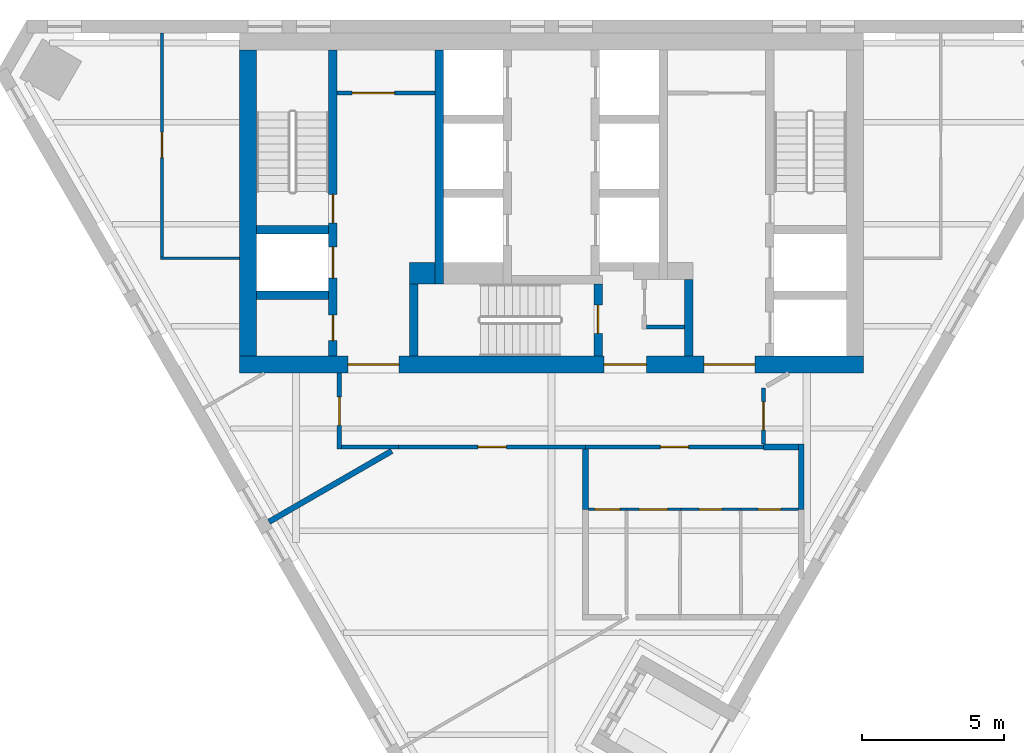
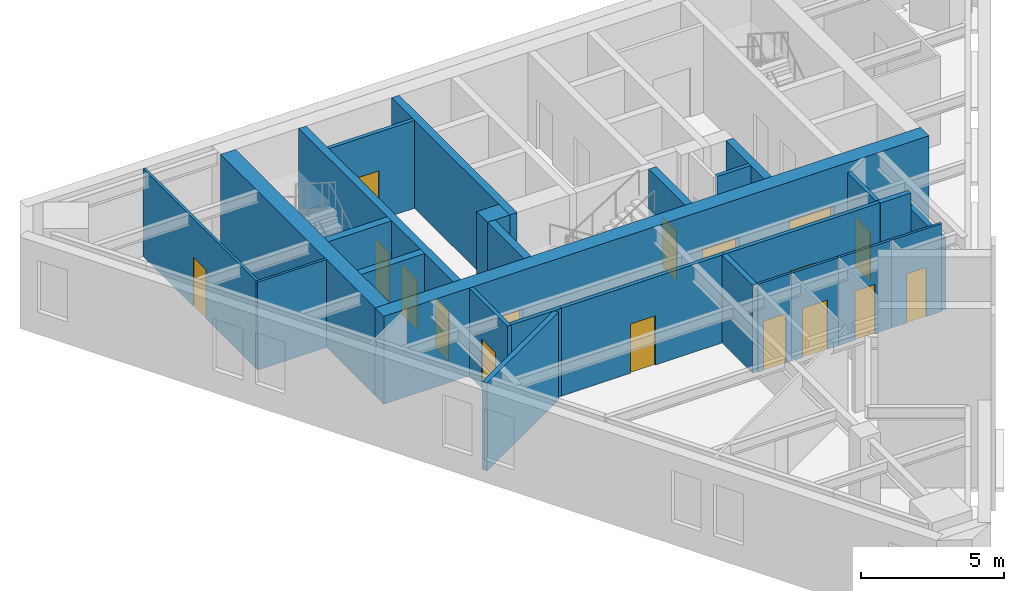
# One storey, part 3 of 6: 27 walls, 17 doors, 17 openings.
"""IFC4 building model written with IfcOpenShell, lengths in metres."""

from ifc_helpers import new_model, si_unit, direction, frame, frame_2d, origin, place, context, subcontext, project, spatial, rectangle, extrude, material, layer, layer_set, type_object, element, fill, save


model = new_model("IFC4")

# Units and contexts
model_context = context("Model", 3, precision=1e-05, world=origin(), true_north=direction((0.0, 1.0)))
body_context = subcontext(model_context, "Body", "Model", "MODEL_VIEW")
ifc_project = project(units=[si_unit("LENGTHUNIT", "METRE"), si_unit("AREAUNIT", "SQUARE_METRE"), si_unit("VOLUMEUNIT", "CUBIC_METRE"), si_unit("PLANEANGLEUNIT", "RADIAN"), si_unit("MASSUNIT", "GRAM", prefix="KILO")], contexts=[model_context])

# Site, building, storey
site_placement = place(None, origin())
site = spatial("IfcSite", under=ifc_project, at=site_placement, CompositionType="ELEMENT")
building_placement = place(site_placement, origin())
building = spatial("IfcBuilding", under=site, at=building_placement, Name="Aloe Facet Convention Tower", CompositionType="ELEMENT")
storey_placement = place(building_placement, frame((0.0, 0.0, 273.800048828125)))
storey = spatial("IfcBuildingStorey", under=building, at=storey_placement, Name="L67", CompositionType="ELEMENT", Elevation=273.800048828125)

# Wall, opening, door
ifc_material_1 = material(Name="Concrete blockwork partition", Category="masonry")
ifc_layer_1 = layer(ifc_material_1, 0.14990234375)
ifc_layer_set_1 = layer_set([ifc_layer_1], Name="CR-W-PART150")
wall_type_1 = type_object("IfcWallType", Name="CR-W-PART150", PredefinedType="PARTITIONING", material=ifc_layer_set_1)
wall_1_placement = place(storey_placement, frame((72.449951171875, 132.425048828125, 0.0), z_axis=(0.0, 0.0, 1.0), x_axis=(1.0, 0.0, 0.0)))
wall_1 = element("IfcWall", 1, at=wall_1_placement, inside=storey, type_object=wall_type_1, Name="Core partition L67-007", PredefinedType="PARTITIONING", context=body_context, shape_type="SweptSolid", body=[
    extrude(rectangle(XDim=3.449951171875, YDim=0.14990234375, at=frame_2d((1.72509765625, 0.0))), origin(), (0.0, 0.0, 1.0), 3.75),
])
opening_1_placement = place(wall_1_placement, frame((0.52490234375, 0.0, 0.0)))
opening_1 = element("IfcOpeningElement", 2, at=opening_1_placement, cuts=wall_1, Name="Opening L67-CD14", PredefinedType="OPENING", context=body_context, shape_type="SweptSolid", body=[
    extrude(rectangle(XDim=1.5, YDim=2.10009765625, at=frame_2d((0.75, 1.050048828125))), frame((0.0, 0.0849609375, 0.0), z_axis=(0.0, -1.0, 0.0), x_axis=(1.0, 0.0, 0.0)), (0.0, 0.0, 1.0), 0.169921875),
])
ifc_material_2 = material(Name="Steel fire-resisting door set FD60", Category="steel")
door_type_1 = type_object("IfcDoorType", Name="CR-D-REFUGE-1500-FD60-DD", OperationType="DOUBLE_DOOR_DOUBLE_SWING", PredefinedType="DOOR", material=ifc_material_2)
door_1_placement = place(opening_1_placement, origin())
door_1 = element("IfcDoor", 3, at=door_1_placement, inside=storey, type_object=door_type_1, Name="Core door L67-CD14", OperationType="DOUBLE_DOOR_DOUBLE_SWING", OverallHeight=2.10009765625, OverallWidth=1.5, PredefinedType="DOOR", context=body_context, shape_type="SweptSolid", body=[
    extrude(rectangle(XDim=1.5, YDim=2.10009765625, at=frame_2d((0.75, 1.050048828125))), frame((0.0, 0.02490234375, 0.0), z_axis=(0.0, -1.0, 0.0), x_axis=(1.0, 0.0, 0.0)), (0.0, 0.0, 1.0), 0.050048828125),
])
fill(opening_1, door_1)

# Walls
wall_2_placement = place(storey_placement, frame((83.35009765625, 124.175048828125, 0.0), z_axis=(0.0, 0.0, 1.0), x_axis=(1.0, 0.0, 0.0)))
element("IfcWall", 4, at=wall_2_placement, inside=storey, type_object=wall_type_1, Name="Core partition L67-023", PredefinedType="PARTITIONING", context=body_context, shape_type="SweptSolid", body=[
    extrude(rectangle(XDim=1.349853515625, YDim=0.14990234375, at=frame_2d((0.6748046875, 0.0))), origin(), (0.0, 0.0, 1.0), 3.75),
])
ifc_material_3 = material(Name="Concrete C50/60", Category="concrete")
ifc_layer_2 = layer(ifc_material_3, 0.300048828125)
ifc_layer_set_2 = layer_set([ifc_layer_2], Name="CR-W-RC300-C5060")
wall_type_2 = type_object("IfcWallType", Name="CR-W-RC300-C5060", PredefinedType="SOLIDWALL", material=ifc_layer_set_2)
for number, where, z_axis, x_axis, name in (
    (5, (69.60009765625, 127.60009765625, 0.0), (0.0, 0.0, 1.0), (1.0, 0.0, 0.0), "Core wall L67-004"),
    (6, (69.60009765625, 125.300048828125, 0.0), (0.0, 0.0, 1.0), (1.0, 0.0, 0.0), "Core wall L67-005"),
):
    element("IfcWall", number, at=place(storey_placement, frame(where, z_axis=z_axis, x_axis=x_axis)), inside=storey, type_object=wall_type_2, Name=name, PredefinedType="SOLIDWALL", context=body_context, shape_type="SweptSolid", body=[
        extrude(rectangle(XDim=2.5498046875, YDim=0.300048828125, at=frame_2d((1.27490234375, 0.0))), origin(), (0.0, 0.0, 1.0), 3.75),
    ])

# Wall, openings, doors
wall_3_placement = place(storey_placement, frame((72.300048828125, 133.949951171875, 0.0), z_axis=(0.0, 0.0, 1.0), x_axis=(0.0, -1.0, 0.0)))
wall_3 = element("IfcWall", 7, at=wall_3_placement, inside=storey, type_object=wall_type_2, Name="Core wall L67-006", PredefinedType="SOLIDWALL", context=body_context, shape_type="SweptSolid", body=[
    extrude(rectangle(XDim=10.800048828125, YDim=0.300048828125, at=frame_2d((5.39990234375, 0.0))), origin(), (0.0, 0.0, 1.0), 3.75),
])
opening_2_placement = place(wall_3_placement, frame((6.949951171875, 0.0, 0.0)))
opening_2 = element("IfcOpeningElement", 8, at=opening_2_placement, cuts=wall_3, Name="Opening LD-FF1-L67", PredefinedType="OPENING", context=body_context, shape_type="SweptSolid", body=[
    extrude(rectangle(XDim=1.10009765625, YDim=2.10009765625, at=frame_2d((0.550048828125, 1.050048828125))), frame((0.0, 0.16015625, 0.0), z_axis=(0.0, -1.0, 0.0), x_axis=(1.0, 0.0, 0.0)), (0.0, 0.0, 1.0), 0.320068359375),
])
opening_3_placement = place(wall_3_placement, frame((9.35009765625, 0.0, 0.0)))
opening_3 = element("IfcOpeningElement", 9, at=opening_3_placement, cuts=wall_3, Name="Opening L67-CD15", PredefinedType="OPENING", context=body_context, shape_type="SweptSolid", body=[
    extrude(rectangle(XDim=0.89990234375, YDim=2.10009765625, at=frame_2d((0.449951171875, 1.050048828125))), frame((0.0, 0.16015625, 0.0), z_axis=(0.0, -1.0, 0.0), x_axis=(1.0, 0.0, 0.0)), (0.0, 0.0, 1.0), 0.320068359375),
])
opening_4_placement = place(wall_3_placement, frame((5.10009765625, 0.0, 0.0)))
opening_4 = element("IfcOpeningElement", 10, at=opening_4_placement, cuts=wall_3, Name="Opening L67-CD16", PredefinedType="OPENING", context=body_context, shape_type="SweptSolid", body=[
    extrude(rectangle(XDim=1.0, YDim=2.10009765625, at=frame_2d((0.5, 1.050048828125))), frame((0.0, 0.16015625, 0.0), z_axis=(0.0, -1.0, 0.0), x_axis=(1.0, 0.0, 0.0)), (0.0, 0.0, 1.0), 0.320068359375),
])
ifc_material_4 = material(Name="Steel fire-resisting door set FD60", Category="steel")
door_type_2 = type_object("IfcDoorType", Name="CR-D-ROOM-900-FD60-SLEFT", OperationType="SINGLE_SWING_LEFT", PredefinedType="DOOR", material=ifc_material_4)
door_2_placement = place(opening_3_placement, origin())
door_2 = element("IfcDoor", 11, at=door_2_placement, inside=storey, type_object=door_type_2, Name="Core door L67-CD15", OperationType="SINGLE_SWING_LEFT", OverallHeight=2.10009765625, OverallWidth=0.89990234375, PredefinedType="DOOR", context=body_context, shape_type="SweptSolid", body=[
    extrude(rectangle(XDim=0.89990234375, YDim=2.10009765625, at=frame_2d((0.449951171875, 1.050048828125))), frame((0.0, 0.02490234375, 0.0), z_axis=(0.0, -1.0, 0.0), x_axis=(1.0, 0.0, 0.0)), (0.0, 0.0, 1.0), 0.050048828125),
])
fill(opening_3, door_2)
ifc_material_5 = material(Name="Steel fire-resisting door set FD120", Category="steel")
door_type_3 = type_object("IfcDoorType", Name="CR-D-STAIR-1000-FD120-SRIGHT", OperationType="SINGLE_SWING_RIGHT", PredefinedType="DOOR", material=ifc_material_5)
door_3_placement = place(opening_4_placement, origin())
door_3 = element("IfcDoor", 12, at=door_3_placement, inside=storey, type_object=door_type_3, Name="Core door L67-CD16", OperationType="SINGLE_SWING_RIGHT", OverallHeight=2.10009765625, OverallWidth=1.0, PredefinedType="DOOR", context=body_context, shape_type="SweptSolid", body=[
    extrude(rectangle(XDim=1.0, YDim=2.10009765625, at=frame_2d((0.5, 1.050048828125))), frame((0.0, 0.02490234375, 0.0), z_axis=(0.0, -1.0, 0.0), x_axis=(1.0, 0.0, 0.0)), (0.0, 0.0, 1.0), 0.050048828125),
])
fill(opening_4, door_3)
ifc_material_6 = material(Name="Stainless steel sliding landing door", Category="steel")
door_type_4 = type_object("IfcDoorType", Name="CR-LD-1100-FD120-_LEFT", OperationType="SLIDING_TO_LEFT", PredefinedType="DOOR", material=ifc_material_6)
door_4_placement = place(opening_2_placement, origin())
door_4 = element("IfcDoor", 13, at=door_4_placement, inside=storey, type_object=door_type_4, Name="Landing door FF1 L67", OperationType="SLIDING_TO_LEFT", OverallHeight=2.10009765625, OverallWidth=1.10009765625, PredefinedType="DOOR", context=body_context, shape_type="SweptSolid", body=[
    extrude(rectangle(XDim=1.10009765625, YDim=2.10009765625, at=frame_2d((0.550048828125, 1.050048828125))), frame((0.0, 0.02490234375, 0.0), z_axis=(0.0, -1.0, 0.0), x_axis=(1.0, 0.0, 0.0)), (0.0, 0.0, 1.0), 0.050048828125),
])
fill(opening_2, door_4)

# Walls
wall_4_placement = place(storey_placement, frame((75.14990234375, 125.699951171875, 0.0), z_axis=(0.0, 0.0, 1.0), x_axis=(0.0, -1.0, 0.0)))
element("IfcWall", 14, at=wall_4_placement, inside=storey, type_object=wall_type_2, Name="Core wall L67-009", PredefinedType="SOLIDWALL", context=body_context, shape_type="SweptSolid", body=[
    extrude(rectangle(XDim=2.550048828125, YDim=0.300048828125, at=frame_2d((1.27490234375, 0.0))), origin(), (0.0, 0.0, 1.0), 3.75),
])
wall_5_placement = place(storey_placement, frame((76.050048828125, 133.949951171875, 0.0), z_axis=(0.0, 0.0, 1.0), x_axis=(0.0, -1.0, 0.0)))
element("IfcWall", 15, at=wall_5_placement, inside=storey, type_object=wall_type_2, Name="Core wall L67-010", PredefinedType="SOLIDWALL", context=body_context, shape_type="SweptSolid", body=[
    extrude(rectangle(XDim=8.25, YDim=0.300048828125, at=frame_2d((4.125, 0.0))), origin(), (0.0, 0.0, 1.0), 3.75),
])

# Wall, opening, door
wall_6_placement = place(storey_placement, frame((81.64990234375, 125.699951171875, 0.0), z_axis=(0.0, 0.0, 1.0), x_axis=(0.0, -1.0, 0.0)))
wall_6 = element("IfcWall", 16, at=wall_6_placement, inside=storey, type_object=wall_type_2, Name="Core wall L67-017", PredefinedType="SOLIDWALL", context=body_context, shape_type="SweptSolid", body=[
    extrude(rectangle(XDim=2.550048828125, YDim=0.300048828125, at=frame_2d((1.27490234375, 0.0))), origin(), (0.0, 0.0, 1.0), 3.75),
])
opening_5_placement = place(wall_6_placement, frame((0.75, 0.0, 0.0)))
opening_5 = element("IfcOpeningElement", 17, at=opening_5_placement, cuts=wall_6, Name="Opening L67-CD18", PredefinedType="OPENING", context=body_context, shape_type="SweptSolid", body=[
    extrude(rectangle(XDim=1.0, YDim=2.10009765625, at=frame_2d((0.5, 1.050048828125))), frame((0.0, 0.16015625, 0.0), z_axis=(0.0, -1.0, 0.0), x_axis=(1.0, 0.0, 0.0)), (0.0, 0.0, 1.0), 0.320068359375),
])
ifc_material_7 = material(Name="Steel fire-resisting door set FD120", Category="steel")
door_type_5 = type_object("IfcDoorType", Name="CR-D-STAIR-1000-FD120-SLEFT", OperationType="SINGLE_SWING_LEFT", PredefinedType="DOOR", material=ifc_material_7)
door_5_placement = place(opening_5_placement, origin())
door_5 = element("IfcDoor", 18, at=door_5_placement, inside=storey, type_object=door_type_5, Name="Core door L67-CD18", OperationType="SINGLE_SWING_LEFT", OverallHeight=2.10009765625, OverallWidth=1.0, PredefinedType="DOOR", context=body_context, shape_type="SweptSolid", body=[
    extrude(rectangle(XDim=1.0, YDim=2.10009765625, at=frame_2d((0.5, 1.050048828125))), frame((0.0, 0.02490234375, 0.0), z_axis=(0.0, -1.0, 0.0), x_axis=(1.0, 0.0, 0.0)), (0.0, 0.0, 1.0), 0.050048828125),
])
fill(opening_5, door_5)

# Walls
wall_7_placement = place(storey_placement, frame((84.85009765625, 125.85009765625, 0.0), z_axis=(0.0, 0.0, 1.0), x_axis=(0.0, -1.0, 0.0)))
element("IfcWall", 19, at=wall_7_placement, inside=storey, type_object=wall_type_2, Name="Core wall L67-027", PredefinedType="SOLIDWALL", context=body_context, shape_type="SweptSolid", body=[
    extrude(rectangle(XDim=2.7001953125, YDim=0.300048828125, at=frame_2d((1.35009765625, 0.0))), origin(), (0.0, 0.0, 1.0), 3.75),
])
ifc_material_8 = material(Name="Concrete C50/60", Category="concrete")
ifc_layer_3 = layer(ifc_material_8, 0.60009765625)
ifc_layer_set_3 = layer_set([ifc_layer_3], Name="CR-W-RC600-C5060")
wall_type_3 = type_object("IfcWallType", Name="CR-W-RC600-C5060", PredefinedType="SOLIDWALL", material=ifc_layer_set_3)
wall_8_placement = place(storey_placement, frame((69.300048828125, 133.949951171875, 0.0), z_axis=(0.0, 0.0, 1.0), x_axis=(0.0, -1.0, 0.0)))
element("IfcWall", 20, at=wall_8_placement, inside=storey, type_object=wall_type_3, Name="Core wall L67-002", PredefinedType="SOLIDWALL", context=body_context, shape_type="SweptSolid", body=[
    extrude(rectangle(XDim=10.800048828125, YDim=0.60009765625, at=frame_2d((5.39990234375, 0.0))), origin(), (0.0, 0.0, 1.0), 3.75),
])

# Wall, openings, doors
wall_9_placement = place(storey_placement, frame((69.0, 122.85009765625, 0.0), z_axis=(0.0, 0.0, 1.0), x_axis=(1.0, 0.0, 0.0)))
wall_9 = element("IfcWall", 21, at=wall_9_placement, inside=storey, type_object=wall_type_3, Name="Core wall L67-003", PredefinedType="SOLIDWALL", context=body_context, shape_type="SweptSolid", body=[
    extrude(rectangle(XDim=22.0, YDim=0.60009765625, at=frame_2d((11.0, 0.0))), origin(), (0.0, 0.0, 1.0), 3.75),
])
opening_6_placement = place(wall_9_placement, frame((16.375, 0.0, 0.0)))
opening_6 = element("IfcOpeningElement", 22, at=opening_6_placement, cuts=wall_9, Name="Opening L67-CD09", PredefinedType="OPENING", context=body_context, shape_type="SweptSolid", body=[
    extrude(rectangle(XDim=1.800048828125, YDim=2.10009765625, at=frame_2d((0.89990234375, 1.050048828125))), frame((0.0, 0.31005859375, 0.0), z_axis=(0.0, -1.0, 0.0), x_axis=(1.0, 0.0, 0.0)), (0.0, 0.0, 1.0), 0.6201171875),
])
opening_7_placement = place(wall_9_placement, frame((3.824951171875, 0.0, 0.0)))
opening_7 = element("IfcOpeningElement", 23, at=opening_7_placement, cuts=wall_9, Name="Opening L67-CD10", PredefinedType="OPENING", context=body_context, shape_type="SweptSolid", body=[
    extrude(rectangle(XDim=1.800048828125, YDim=2.10009765625, at=frame_2d((0.89990234375, 1.050048828125))), frame((0.0, 0.31005859375, 0.0), z_axis=(0.0, -1.0, 0.0), x_axis=(1.0, 0.0, 0.0)), (0.0, 0.0, 1.0), 0.6201171875),
])
opening_8_placement = place(wall_9_placement, frame((12.85009765625, 0.0, 0.0)))
opening_8 = element("IfcOpeningElement", 24, at=opening_8_placement, cuts=wall_9, Name="Opening L67-CD11", PredefinedType="OPENING", context=body_context, shape_type="SweptSolid", body=[
    extrude(rectangle(XDim=1.5, YDim=2.10009765625, at=frame_2d((0.75, 1.050048828125))), frame((0.0, 0.31005859375, 0.0), z_axis=(0.0, -1.0, 0.0), x_axis=(1.0, 0.0, 0.0)), (0.0, 0.0, 1.0), 0.6201171875),
])
ifc_material_9 = material(Name="Steel fire-resisting door set FD60", Category="steel")
door_type_6 = type_object("IfcDoorType", Name="CR-D-EXIT-1500-FD60-DD", OperationType="DOUBLE_DOOR_DOUBLE_SWING", PredefinedType="DOOR", material=ifc_material_9)
door_6_placement = place(opening_8_placement, origin())
door_6 = element("IfcDoor", 25, at=door_6_placement, inside=storey, type_object=door_type_6, Name="Core door L67-CD11", OperationType="DOUBLE_DOOR_DOUBLE_SWING", OverallHeight=2.10009765625, OverallWidth=1.5, PredefinedType="DOOR", context=body_context, shape_type="SweptSolid", body=[
    extrude(rectangle(XDim=1.5, YDim=2.10009765625, at=frame_2d((0.75, 1.050048828125))), frame((0.0, 0.02490234375, 0.0), z_axis=(0.0, -1.0, 0.0), x_axis=(1.0, 0.0, 0.0)), (0.0, 0.0, 1.0), 0.050048828125),
])
fill(opening_8, door_6)
ifc_material_10 = material(Name="Steel fire-resisting door set FD120", Category="steel")
door_type_7 = type_object("IfcDoorType", Name="CR-D-EXIT-1800-FD120-DD", OperationType="DOUBLE_DOOR_DOUBLE_SWING", PredefinedType="DOOR", material=ifc_material_10)
door_7_placement = place(opening_6_placement, origin())
door_7 = element("IfcDoor", 26, at=door_7_placement, inside=storey, type_object=door_type_7, Name="Core door L67-CD09", OperationType="DOUBLE_DOOR_DOUBLE_SWING", OverallHeight=2.10009765625, OverallWidth=1.800048828125, PredefinedType="DOOR", context=body_context, shape_type="SweptSolid", body=[
    extrude(rectangle(XDim=1.800048828125, YDim=2.10009765625, at=frame_2d((0.89990234375, 1.050048828125))), frame((0.0, 0.02490234375, 0.0), z_axis=(0.0, -1.0, 0.0), x_axis=(1.0, 0.0, 0.0)), (0.0, 0.0, 1.0), 0.050048828125),
])
fill(opening_6, door_7)
door_8_placement = place(opening_7_placement, origin())
door_8 = element("IfcDoor", 27, at=door_8_placement, inside=storey, type_object=door_type_7, Name="Core door L67-CD10", OperationType="DOUBLE_DOOR_DOUBLE_SWING", OverallHeight=2.10009765625, OverallWidth=1.800048828125, PredefinedType="DOOR", context=body_context, shape_type="SweptSolid", body=[
    extrude(rectangle(XDim=1.800048828125, YDim=2.10009765625, at=frame_2d((0.89990234375, 1.050048828125))), frame((0.0, 0.02490234375, 0.0), z_axis=(0.0, -1.0, 0.0), x_axis=(1.0, 0.0, 0.0)), (0.0, 0.0, 1.0), 0.050048828125),
])
fill(opening_7, door_8)

# Wall
ifc_material_11 = material(Name="Concrete C50/60", Category="concrete")
ifc_layer_4 = layer(ifc_material_11, 0.75)
ifc_layer_set_4 = layer_set([ifc_layer_4], Name="CR-W-RC750-C5060")
wall_type_4 = type_object("IfcWallType", Name="CR-W-RC750-C5060", PredefinedType="SOLIDWALL", material=ifc_layer_set_4)
wall_10_placement = place(storey_placement, frame((75.0, 126.074951171875, 0.0), z_axis=(0.0, 0.0, 1.0), x_axis=(1.0, 0.0, 0.0)))
element("IfcWall", 28, at=wall_10_placement, inside=storey, type_object=wall_type_4, Name="Core wall L67-008", PredefinedType="SOLIDWALL", context=body_context, shape_type="SweptSolid", body=[
    extrude(rectangle(XDim=0.89990234375, YDim=0.75, at=frame_2d((0.449951171875, 0.0))), origin(), (0.0, 0.0, 1.0), 3.75),
])

# Wall, opening, door
ifc_material_12 = material(Name="Gypsum board partition on steel studs", Category="steel")
ifc_layer_5 = layer(ifc_material_12, 0.14990234375)
ifc_layer_set_5 = layer_set([ifc_layer_5], Name="IN-W-CORR")
wall_type_5 = type_object("IfcWallType", Name="IN-W-CORR", PredefinedType="PARTITIONING", material=ifc_layer_set_5)
wall_11_placement = place(storey_placement, frame((72.52490234375, 119.875, 0.0), z_axis=(0.0, 0.0, 1.0), x_axis=(0.0, 1.0, 0.0)))
wall_11 = element("IfcWall", 29, at=wall_11_placement, inside=storey, type_object=wall_type_5, Name="Partition L67-W018", PredefinedType="PARTITIONING", context=body_context, shape_type="SweptSolid", body=[
    extrude(rectangle(XDim=2.675048828125, YDim=0.14990234375, at=frame_2d((1.33740234375, 0.0))), origin(), (0.0, 0.0, 1.0), 3.75),
])
opening_9_placement = place(wall_11_placement, frame((0.83740234375, 0.0, 0.0)))
opening_9 = element("IfcOpeningElement", 30, at=opening_9_placement, cuts=wall_11, Name="Opening L67-008", PredefinedType="OPENING", context=body_context, shape_type="SweptSolid", body=[
    extrude(rectangle(XDim=1.0, YDim=2.10009765625, at=frame_2d((0.5, 1.050048828125))), frame((0.0, 0.0849609375, 0.0), z_axis=(0.0, -1.0, 0.0), x_axis=(1.0, 0.0, 0.0)), (0.0, 0.0, 1.0), 0.169921875),
])
ifc_material_13 = material(Name="Timber door FD30S with vision panel", Category="wood")
door_type_8 = type_object("IfcDoorType", Name="IN-OFF-D-ENTRY", OperationType="SINGLE_SWING_LEFT", PredefinedType="DOOR", material=ifc_material_13)
door_9_placement = place(opening_9_placement, origin())
door_9 = element("IfcDoor", 31, at=door_9_placement, inside=storey, type_object=door_type_8, Name="Door L67-008", OperationType="SINGLE_SWING_LEFT", OverallHeight=2.10009765625, OverallWidth=1.0, PredefinedType="DOOR", context=body_context, shape_type="SweptSolid", body=[
    extrude(rectangle(XDim=1.0, YDim=2.10009765625, at=frame_2d((0.5, 1.050048828125))), frame((0.0, 0.02490234375, 0.0), z_axis=(0.0, -1.0, 0.0), x_axis=(1.0, 0.0, 0.0)), (0.0, 0.0, 1.0), 0.050048828125),
])
fill(opening_9, door_9)

# Wall
wall_12_placement = place(storey_placement, frame((72.60009765625, 119.949951171875, 0.0), z_axis=(0.0, 0.0, 1.0), x_axis=(1.0, 0.0, 0.0)))
element("IfcWall", 32, at=wall_12_placement, inside=storey, type_object=wall_type_5, Name="Partition L67-W019", PredefinedType="PARTITIONING", context=body_context, shape_type="SweptSolid", body=[
    extrude(rectangle(XDim=2.0185546875, YDim=0.14990234375, at=frame_2d((1.00927734375, 0.0))), origin(), (0.0, 0.0, 1.0), 3.75),
])

# Wall, opening, door
wall_13_placement = place(storey_placement, frame((74.61865234375, 119.949951171875, 0.0), z_axis=(0.0, 0.0, 1.0), x_axis=(1.0, 0.0, 0.0)))
wall_13 = element("IfcWall", 33, at=wall_13_placement, inside=storey, type_object=wall_type_5, Name="Partition L67-W021", PredefinedType="PARTITIONING", context=body_context, shape_type="SweptSolid", body=[
    extrude(rectangle(XDim=6.581298828125, YDim=0.14990234375, at=frame_2d((3.29052734375, 0.0))), origin(), (0.0, 0.0, 1.0), 3.75),
])
opening_10_placement = place(wall_13_placement, frame((2.79052734375, 0.0, 0.0)))
opening_10 = element("IfcOpeningElement", 34, at=opening_10_placement, cuts=wall_13, Name="Opening L67-009", PredefinedType="OPENING", context=body_context, shape_type="SweptSolid", body=[
    extrude(rectangle(XDim=1.0, YDim=2.10009765625, at=frame_2d((0.5, 1.050048828125))), frame((0.0, 0.0849609375, 0.0), z_axis=(0.0, -1.0, 0.0), x_axis=(1.0, 0.0, 0.0)), (0.0, 0.0, 1.0), 0.169921875),
])
door_10_placement = place(opening_10_placement, origin())
door_10 = element("IfcDoor", 35, at=door_10_placement, inside=storey, type_object=door_type_8, Name="Door L67-009", OperationType="SINGLE_SWING_LEFT", OverallHeight=2.10009765625, OverallWidth=1.0, PredefinedType="DOOR", context=body_context, shape_type="SweptSolid", body=[
    extrude(rectangle(XDim=1.0, YDim=2.10009765625, at=frame_2d((0.5, 1.050048828125))), frame((0.0, 0.02490234375, 0.0), z_axis=(0.0, -1.0, 0.0), x_axis=(1.0, 0.0, 0.0)), (0.0, 0.0, 1.0), 0.050048828125),
])
fill(opening_10, door_10)

wall_14_placement = place(storey_placement, frame((81.199951171875, 119.949951171875, 0.0), z_axis=(0.0, 0.0, 1.0), x_axis=(1.0, 0.0, 0.0)))
wall_14 = element("IfcWall", 36, at=wall_14_placement, inside=storey, type_object=wall_type_5, Name="Partition L67-W022", PredefinedType="PARTITIONING", context=body_context, shape_type="SweptSolid", body=[
    extrude(rectangle(XDim=6.27490234375, YDim=0.14990234375, at=frame_2d((3.137451171875, 0.0))), origin(), (0.0, 0.0, 1.0), 3.75),
])
opening_11_placement = place(wall_14_placement, frame((2.637451171875, 0.0, 0.0)))
opening_11 = element("IfcOpeningElement", 37, at=opening_11_placement, cuts=wall_14, Name="Opening L67-001", PredefinedType="OPENING", context=body_context, shape_type="SweptSolid", body=[
    extrude(rectangle(XDim=1.0, YDim=2.10009765625, at=frame_2d((0.5, 1.050048828125))), frame((0.0, 0.0849609375, 0.0), z_axis=(0.0, -1.0, 0.0), x_axis=(1.0, 0.0, 0.0)), (0.0, 0.0, 1.0), 0.169921875),
])
door_11_placement = place(opening_11_placement, origin())
door_11 = element("IfcDoor", 38, at=door_11_placement, inside=storey, type_object=door_type_8, Name="Door L67-001", OperationType="SINGLE_SWING_LEFT", OverallHeight=2.10009765625, OverallWidth=1.0, PredefinedType="DOOR", context=body_context, shape_type="SweptSolid", body=[
    extrude(rectangle(XDim=1.0, YDim=2.10009765625, at=frame_2d((0.5, 1.050048828125))), frame((0.0, 0.02490234375, 0.0), z_axis=(0.0, -1.0, 0.0), x_axis=(1.0, 0.0, 0.0)), (0.0, 0.0, 1.0), 0.050048828125),
])
fill(opening_11, door_11)

wall_15_placement = place(storey_placement, frame((87.47509765625, 120.050048828125, 0.0), z_axis=(0.0, 0.0, 1.0), x_axis=(0.001476558006, 0.999998909888, 0.0)))
wall_15 = element("IfcWall", 39, at=wall_15_placement, inside=storey, type_object=wall_type_5, Name="Partition L67-W023", PredefinedType="PARTITIONING", context=body_context, shape_type="SweptSolid", body=[
    extrude(rectangle(XDim=1.984130859375, YDim=0.14990234375, at=frame_2d((0.9921875, 0.0))), origin(), (0.0, 0.0, 1.0), 3.75),
])
opening_12_placement = place(wall_15_placement, frame((0.4921875, 0.0, 0.0)))
opening_12 = element("IfcOpeningElement", 40, at=opening_12_placement, cuts=wall_15, Name="Opening L67-011", PredefinedType="OPENING", context=body_context, shape_type="SweptSolid", body=[
    extrude(rectangle(XDim=1.0, YDim=2.10009765625, at=frame_2d((0.5, 1.050048828125))), frame((0.0, 0.0849609375, 0.0), z_axis=(0.0, -1.0, 0.0), x_axis=(1.0, 0.0, 0.0)), (0.0, 0.0, 1.0), 0.169921875),
])
door_12_placement = place(opening_12_placement, origin())
door_12 = element("IfcDoor", 41, at=door_12_placement, inside=storey, type_object=door_type_8, Name="Door L67-011", OperationType="SINGLE_SWING_LEFT", OverallHeight=2.10009765625, OverallWidth=1.0, PredefinedType="DOOR", context=body_context, shape_type="SweptSolid", body=[
    extrude(rectangle(XDim=1.0, YDim=2.10009765625, at=frame_2d((0.5, 1.050048828125))), frame((0.0, 0.02490234375, 0.0), z_axis=(0.0, -1.0, 0.0), x_axis=(1.0, 0.0, 0.0)), (0.0, 0.0, 1.0), 0.050048828125),
])
fill(opening_12, door_12)

ifc_material_14 = material(Name="Gypsum board partition on steel studs", Category="steel")
ifc_layer_6 = layer(ifc_material_14, 0.10009765625)
ifc_layer_set_6 = layer_set([ifc_layer_6], Name="IN-W-PART")
wall_type_6 = type_object("IfcWallType", Name="IN-W-PART", PredefinedType="PARTITIONING", material=ifc_layer_set_6)
wall_16_placement = place(storey_placement, frame((81.300048828125, 117.75, 0.0), z_axis=(0.0, 0.0, 1.0), x_axis=(1.0, 0.0, 0.0)))
wall_16 = element("IfcWall", 42, at=wall_16_placement, inside=storey, type_object=wall_type_6, Name="Partition L67-W010", PredefinedType="PARTITIONING", context=body_context, shape_type="SweptSolid", body=[
    extrude(rectangle(XDim=1.343994140625, YDim=0.10009765625, at=frame_2d((0.671875, 0.0))), origin(), (0.0, 0.0, 1.0), 3.75),
])
opening_13_placement = place(wall_16_placement, frame((0.221923828125, 0.0, 0.0)))
opening_13 = element("IfcOpeningElement", 43, at=opening_13_placement, cuts=wall_16, Name="Opening L67-002", PredefinedType="OPENING", context=body_context, shape_type="SweptSolid", body=[
    extrude(rectangle(XDim=0.89990234375, YDim=2.10009765625, at=frame_2d((0.449951171875, 1.050048828125))), frame((0.0, 0.06005859375, 0.0), z_axis=(0.0, -1.0, 0.0), x_axis=(1.0, 0.0, 0.0)), (0.0, 0.0, 1.0), 0.1201171875),
])
ifc_material_15 = material(Name="Timber door", Category="wood")
door_type_9 = type_object("IfcDoorType", Name="IN-OFF-D-ROOM", OperationType="SINGLE_SWING_LEFT", PredefinedType="DOOR", material=ifc_material_15)
door_13_placement = place(opening_13_placement, origin())
door_13 = element("IfcDoor", 44, at=door_13_placement, inside=storey, type_object=door_type_9, Name="Door L67-002", OperationType="SINGLE_SWING_LEFT", OverallHeight=2.10009765625, OverallWidth=0.89990234375, PredefinedType="DOOR", context=body_context, shape_type="SweptSolid", body=[
    extrude(rectangle(XDim=0.89990234375, YDim=2.10009765625, at=frame_2d((0.449951171875, 1.050048828125))), frame((0.0, 0.02490234375, 0.0), z_axis=(0.0, -1.0, 0.0), x_axis=(1.0, 0.0, 0.0)), (0.0, 0.0, 1.0), 0.050048828125),
])
fill(opening_13, door_13)

wall_17_placement = place(storey_placement, frame((82.64404296875, 117.75, 0.0), z_axis=(0.0, 0.0, 1.0), x_axis=(1.0, 0.0, 0.0)))
wall_17 = element("IfcWall", 45, at=wall_17_placement, inside=storey, type_object=wall_type_6, Name="Partition L67-W012", PredefinedType="PARTITIONING", context=body_context, shape_type="SweptSolid", body=[
    extrude(rectangle(XDim=1.89990234375, YDim=0.10009765625, at=frame_2d((0.949951171875, 0.0))), origin(), (0.0, 0.0, 1.0), 3.75),
])
opening_14_placement = place(wall_17_placement, frame((0.449951171875, 0.0, 0.0)))
opening_14 = element("IfcOpeningElement", 46, at=opening_14_placement, cuts=wall_17, Name="Opening L67-003", PredefinedType="OPENING", context=body_context, shape_type="SweptSolid", body=[
    extrude(rectangle(XDim=1.0, YDim=2.10009765625, at=frame_2d((0.5, 1.050048828125))), frame((0.0, 0.06005859375, 0.0), z_axis=(0.0, -1.0, 0.0), x_axis=(1.0, 0.0, 0.0)), (0.0, 0.0, 1.0), 0.1201171875),
])
ifc_material_16 = material(Name="Timber door", Category="wood")
door_type_10 = type_object("IfcDoorType", Name="IN-OFF-D-WIDE", OperationType="SINGLE_SWING_LEFT", PredefinedType="DOOR", material=ifc_material_16)
door_14_placement = place(opening_14_placement, origin())
door_14 = element("IfcDoor", 47, at=door_14_placement, inside=storey, type_object=door_type_10, Name="Door L67-003", OperationType="SINGLE_SWING_LEFT", OverallHeight=2.10009765625, OverallWidth=1.0, PredefinedType="DOOR", context=body_context, shape_type="SweptSolid", body=[
    extrude(rectangle(XDim=1.0, YDim=2.10009765625, at=frame_2d((0.5, 1.050048828125))), frame((0.0, 0.02490234375, 0.0), z_axis=(0.0, -1.0, 0.0), x_axis=(1.0, 0.0, 0.0)), (0.0, 0.0, 1.0), 0.050048828125),
])
fill(opening_14, door_14)

wall_18_placement = place(storey_placement, frame((84.5439453125, 117.75, 0.0), z_axis=(0.0, 0.0, 1.0), x_axis=(1.0, 0.0, 0.0)))
wall_18 = element("IfcWall", 48, at=wall_18_placement, inside=storey, type_object=wall_type_6, Name="Partition L67-W014", PredefinedType="PARTITIONING", context=body_context, shape_type="SweptSolid", body=[
    extrude(rectangle(XDim=2.128173828125, YDim=0.10009765625, at=frame_2d((1.06396484375, 0.0))), origin(), (0.0, 0.0, 1.0), 3.75),
])
opening_15_placement = place(wall_18_placement, frame((0.6640625, 0.0, 0.0)))
opening_15 = element("IfcOpeningElement", 49, at=opening_15_placement, cuts=wall_18, Name="Opening L67-004", PredefinedType="OPENING", context=body_context, shape_type="SweptSolid", body=[
    extrude(rectangle(XDim=0.800048828125, YDim=2.10009765625, at=frame_2d((0.39990234375, 1.050048828125))), frame((0.0, 0.06005859375, 0.0), z_axis=(0.0, -1.0, 0.0), x_axis=(1.0, 0.0, 0.0)), (0.0, 0.0, 1.0), 0.1201171875),
])
ifc_material_17 = material(Name="Timber door", Category="wood")
door_type_11 = type_object("IfcDoorType", Name="IN-OFF-D-WC", OperationType="SINGLE_SWING_LEFT", PredefinedType="DOOR", material=ifc_material_17)
door_15_placement = place(opening_15_placement, origin())
door_15 = element("IfcDoor", 50, at=door_15_placement, inside=storey, type_object=door_type_11, Name="Door L67-004", OperationType="SINGLE_SWING_LEFT", OverallHeight=2.10009765625, OverallWidth=0.800048828125, PredefinedType="DOOR", context=body_context, shape_type="SweptSolid", body=[
    extrude(rectangle(XDim=0.800048828125, YDim=2.10009765625, at=frame_2d((0.39990234375, 1.050048828125))), frame((0.0, 0.02490234375, 0.0), z_axis=(0.0, -1.0, 0.0), x_axis=(1.0, 0.0, 0.0)), (0.0, 0.0, 1.0), 0.050048828125),
])
fill(opening_15, door_15)

wall_19_placement = place(storey_placement, frame((86.672119140625, 117.75, 0.0), z_axis=(0.0, 0.0, 1.0), x_axis=(1.0, 0.0, 0.0)))
wall_19 = element("IfcWall", 51, at=wall_19_placement, inside=storey, type_object=wall_type_6, Name="Partition L67-W015", PredefinedType="PARTITIONING", context=body_context, shape_type="SweptSolid", body=[
    extrude(rectangle(XDim=2.03076171875, YDim=0.10009765625, at=frame_2d((1.015380859375, 0.0))), origin(), (0.0, 0.0, 1.0), 3.75),
])
opening_16_placement = place(wall_19_placement, frame((0.615478515625, 0.0, 0.0)))
opening_16 = element("IfcOpeningElement", 52, at=opening_16_placement, cuts=wall_19, Name="Opening L67-005", PredefinedType="OPENING", context=body_context, shape_type="SweptSolid", body=[
    extrude(rectangle(XDim=0.800048828125, YDim=2.10009765625, at=frame_2d((0.39990234375, 1.050048828125))), frame((0.0, 0.06005859375, 0.0), z_axis=(0.0, -1.0, 0.0), x_axis=(1.0, 0.0, 0.0)), (0.0, 0.0, 1.0), 0.1201171875),
])
door_16_placement = place(opening_16_placement, origin())
door_16 = element("IfcDoor", 53, at=door_16_placement, inside=storey, type_object=door_type_11, Name="Door L67-005", OperationType="SINGLE_SWING_LEFT", OverallHeight=2.10009765625, OverallWidth=0.800048828125, PredefinedType="DOOR", context=body_context, shape_type="SweptSolid", body=[
    extrude(rectangle(XDim=0.800048828125, YDim=2.10009765625, at=frame_2d((0.39990234375, 1.050048828125))), frame((0.0, 0.02490234375, 0.0), z_axis=(0.0, -1.0, 0.0), x_axis=(1.0, 0.0, 0.0)), (0.0, 0.0, 1.0), 0.050048828125),
])
fill(opening_16, door_16)

# Wall
wall_20_placement = place(storey_placement, frame((66.222412109375, 126.60009765625, 0.0), z_axis=(0.0, 0.0, 1.0), x_axis=(1.0, 0.0, 0.0)))
element("IfcWall", 54, at=wall_20_placement, inside=storey, type_object=wall_type_6, Name="Partition L67-W027", PredefinedType="PARTITIONING", context=body_context, shape_type="SweptSolid", body=[
    extrude(rectangle(XDim=2.777587890625, YDim=0.10009765625, at=frame_2d((1.388671875, 0.0))), origin(), (0.0, 0.0, 1.0), 3.75),
])

# Wall, opening, door
wall_21_placement = place(storey_placement, frame((66.272216796875, 126.64990234375, 0.0), z_axis=(0.0, 0.0, 1.0), x_axis=(0.0, 1.0, 0.0)))
wall_21 = element("IfcWall", 55, at=wall_21_placement, inside=storey, type_object=wall_type_6, Name="Partition L67-W030", PredefinedType="PARTITIONING", context=body_context, shape_type="SweptSolid", body=[
    extrude(rectangle(XDim=7.900146484375, YDim=0.10009765625, at=frame_2d((3.9501953125, 0.0))), origin(), (0.0, 0.0, 1.0), 3.75),
])
opening_17_placement = place(wall_21_placement, frame((3.5, 0.0, 0.0)))
opening_17 = element("IfcOpeningElement", 56, at=opening_17_placement, cuts=wall_21, Name="Opening L67-007", PredefinedType="OPENING", context=body_context, shape_type="SweptSolid", body=[
    extrude(rectangle(XDim=0.89990234375, YDim=2.10009765625, at=frame_2d((0.449951171875, 1.050048828125))), frame((0.0, 0.06005859375, 0.0), z_axis=(0.0, -1.0, 0.0), x_axis=(1.0, 0.0, 0.0)), (0.0, 0.0, 1.0), 0.1201171875),
])
door_17_placement = place(opening_17_placement, origin())
door_17 = element("IfcDoor", 57, at=door_17_placement, inside=storey, type_object=door_type_9, Name="Door L67-007", OperationType="SINGLE_SWING_LEFT", OverallHeight=2.10009765625, OverallWidth=0.89990234375, PredefinedType="DOOR", context=body_context, shape_type="SweptSolid", body=[
    extrude(rectangle(XDim=0.89990234375, YDim=2.10009765625, at=frame_2d((0.449951171875, 1.050048828125))), frame((0.0, 0.02490234375, 0.0), z_axis=(0.0, -1.0, 0.0), x_axis=(1.0, 0.0, 0.0)), (0.0, 0.0, 1.0), 0.050048828125),
])
fill(opening_17, door_17)

# Walls
ifc_material_18 = material(Name="Gypsum board partition on steel studs", Category="steel")
ifc_layer_7 = layer(ifc_material_18, 0.199951171875)
ifc_layer_set_7 = layer_set([ifc_layer_7], Name="IN-W-PARTY")
wall_type_7 = type_object("IfcWallType", Name="IN-W-PARTY", PredefinedType="PARTITIONING", material=ifc_layer_set_7)
wall_22_placement = place(storey_placement, frame((70.046630859375, 117.310302734375, 0.0), z_axis=(0.0, 0.0, 1.0), x_axis=(0.866032544947, 0.499987630939, 0.0)))
element("IfcWall", 58, at=wall_22_placement, inside=storey, type_object=wall_type_7, Name="Partition L67-W008", PredefinedType="PARTITIONING", context=body_context, shape_type="SweptSolid", body=[
    extrude(rectangle(XDim=4.994384765625, YDim=0.199951171875, at=frame_2d((2.4970703125, 0.0))), origin(), (0.0, 0.0, 1.0), 3.75),
])
wall_23_placement = place(storey_placement, frame((88.802978515625, 120.050048828125, 0.0), z_axis=(0.0, 0.0, 1.0), x_axis=(0.0, -1.0, 0.0)))
element("IfcWall", 59, at=wall_23_placement, inside=storey, type_object=wall_type_7, Name="Partition L67-W016", PredefinedType="PARTITIONING", context=body_context, shape_type="SweptSolid", body=[
    extrude(rectangle(XDim=2.300048828125, YDim=0.199951171875, at=frame_2d((1.14990234375, 0.0))), origin(), (0.0, 0.0, 1.0), 3.06201171875),
])
wall_24_placement = place(storey_placement, frame((81.199951171875, 117.75, 0.0), z_axis=(0.0, 0.0, 1.0), x_axis=(0.0, 1.0, 0.0)))
element("IfcWall", 60, at=wall_24_placement, inside=storey, type_object=wall_type_7, Name="Partition L67-W020", PredefinedType="PARTITIONING", context=body_context, shape_type="SweptSolid", body=[
    extrude(rectangle(XDim=2.125, YDim=0.199951171875, at=frame_2d((1.0625, 0.0))), origin(), (0.0, 0.0, 1.0), 3.75),
])
wall_25_placement = place(storey_placement, frame((87.474853515625, 119.949951171875, 0.0), z_axis=(0.0, 0.0, 1.0), x_axis=(1.0, 0.0, 0.0)))
element("IfcWall", 61, at=wall_25_placement, inside=storey, type_object=wall_type_7, Name="Partition L67-W024", PredefinedType="PARTITIONING", context=body_context, shape_type="SweptSolid", body=[
    extrude(rectangle(XDim=1.22802734375, YDim=0.199951171875, at=frame_2d((0.614013671875, 0.0))), origin(), (0.0, 0.0, 1.0), 3.75),
])

save(model, "model.ifc")
